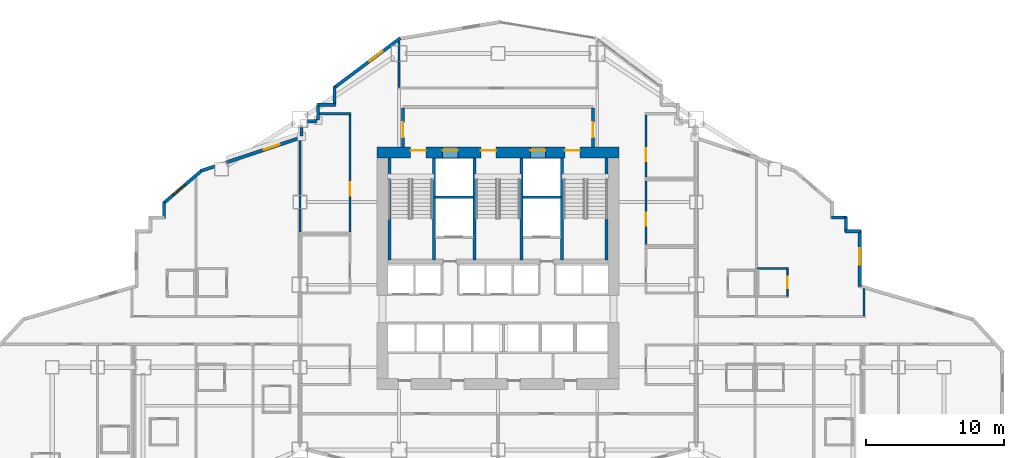
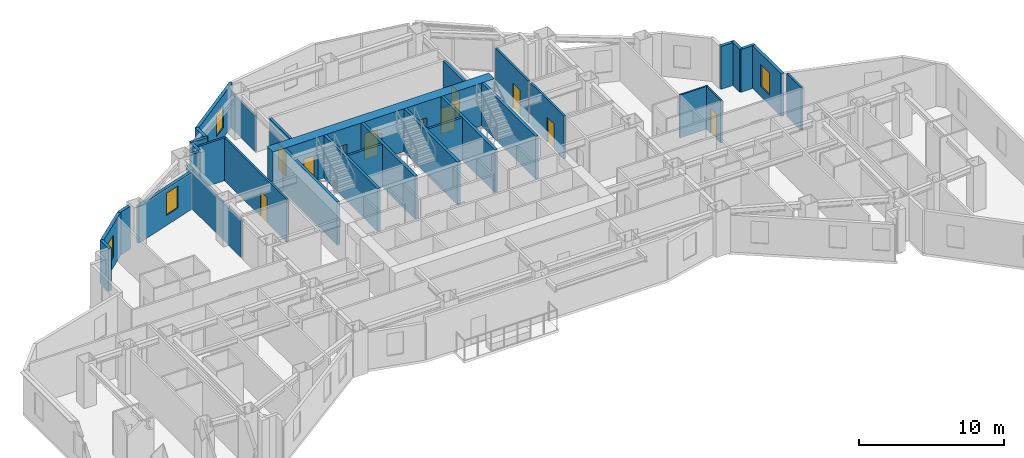
# One storey, part 10 of 17: 34 walls, 11 doors, 4 windows, 15 openings.
"""IFC4 building model written with IfcOpenShell, lengths in metres."""

from ifc_helpers import new_model, si_unit, direction, frame, frame_2d, origin, place, context, subcontext, project, spatial, rectangle, extrude, material, layer, layer_set, type_object, element, fill, save


model = new_model("IFC4")

# Units and contexts
model_context = context("Model", 3, precision=1e-05, world=origin(), true_north=direction((0.0, 1.0)))
body_context = subcontext(model_context, "Body", "Model", "MODEL_VIEW")
ifc_project = project(units=[si_unit("LENGTHUNIT", "METRE"), si_unit("AREAUNIT", "SQUARE_METRE"), si_unit("VOLUMEUNIT", "CUBIC_METRE"), si_unit("PLANEANGLEUNIT", "RADIAN"), si_unit("MASSUNIT", "GRAM", prefix="KILO")], contexts=[model_context])

# Site, building, storey
site_placement = place(None, origin())
site = spatial("IfcSite", under=ifc_project, at=site_placement, CompositionType="ELEMENT")
building_placement = place(site_placement, origin())
building = spatial("IfcBuilding", under=site, at=building_placement, Name="Haolan Belvedere Tower", CompositionType="ELEMENT")
storey_placement = place(building_placement, frame((0.0, 0.0, 55.199951171875)))
storey = spatial("IfcBuildingStorey", under=building, at=storey_placement, Name="L13", CompositionType="ELEMENT", Elevation=55.199951171875)

# Wall, openings, doors
ifc_material_1 = material(Name="Concrete C70/85", Category="concrete")
ifc_layer_1 = layer(ifc_material_1, 0.800048828125, Name="Concrete C70/85")
ifc_layer_set_1 = layer_set([ifc_layer_1], Name="Concrete C70/85")
wall_type_1 = type_object("IfcWallType", Name="WL-CORE-800", PredefinedType="SHEAR", material=ifc_layer_set_1)
wall_1_placement = place(storey_placement, frame((29.60009765625, 43.199951171875, 0.0), z_axis=(0.0, 0.0, 1.0), x_axis=(1.0, 0.0, 0.0)))
wall_1 = element("IfcWall", 1, at=wall_1_placement, inside=storey, type_object=wall_type_1, Name="L13 central core north shear wall", PredefinedType="SHEAR", context=body_context, shape_type="SweptSolid", body=[
    extrude(rectangle(XDim=17.599853515625, YDim=0.800048828125, at=frame_2d((8.7998046875, 0.0))), origin(), (0.0, 0.0, 1.0), 3.60009765625),
])
opening_1_placement = place(wall_1_placement, frame((2.449951171875, 0.0, 0.0)))
opening_1 = element("IfcOpeningElement", 2, at=opening_1_placement, cuts=wall_1, Name="Opening FD-03", PredefinedType="OPENING", context=body_context, shape_type="SweptSolid", body=[
    extrude(rectangle(XDim=1.10009765625, YDim=2.14990234375, at=frame_2d((0.550048828125, 1.074951171875))), frame((0.0, 0.409912109375, 0.0), z_axis=(0.0, -1.0, 0.0), x_axis=(1.0, 0.0, 0.0)), (0.0, 0.0, 1.0), 0.820068359375),
])
opening_2_placement = place(wall_1_placement, frame((7.56005859375, 0.0, 0.0)))
opening_2 = element("IfcOpeningElement", 3, at=opening_2_placement, cuts=wall_1, Name="Opening FD-03", PredefinedType="OPENING", context=body_context, shape_type="SweptSolid", body=[
    extrude(rectangle(XDim=1.10009765625, YDim=2.14990234375, at=frame_2d((0.550048828125, 1.074951171875))), frame((0.0, 0.409912109375, 0.0), z_axis=(0.0, -1.0, 0.0), x_axis=(1.0, 0.0, 0.0)), (0.0, 0.0, 1.0), 0.820068359375),
])
opening_3_placement = place(wall_1_placement, frame((13.64990234375, 0.0, 0.0)))
opening_3 = element("IfcOpeningElement", 4, at=opening_3_placement, cuts=wall_1, Name="Opening FD-03", PredefinedType="OPENING", context=body_context, shape_type="SweptSolid", body=[
    extrude(rectangle(XDim=1.10009765625, YDim=2.14990234375, at=frame_2d((0.550048828125, 1.074951171875))), frame((0.0, 0.409912109375, 0.0), z_axis=(0.0, -1.0, 0.0), x_axis=(1.0, 0.0, 0.0)), (0.0, 0.0, 1.0), 0.820068359375),
])
opening_4_placement = place(wall_1_placement, frame((4.780029296875, 0.0, 0.0)))
opening_4 = element("IfcOpeningElement", 5, at=opening_4_placement, cuts=wall_1, Name="Opening LD-01", PredefinedType="OPENING", context=body_context, shape_type="SweptSolid", body=[
    extrude(rectangle(XDim=1.10009765625, YDim=2.199951171875, at=frame_2d((0.550048828125, 1.10009765625))), frame((0.0, 0.409912109375, 0.0), z_axis=(0.0, -1.0, 0.0), x_axis=(1.0, 0.0, 0.0)), (0.0, 0.0, 1.0), 0.820068359375),
])
opening_5_placement = place(wall_1_placement, frame((11.139892578125, 0.0, 0.0)))
opening_5 = element("IfcOpeningElement", 6, at=opening_5_placement, cuts=wall_1, Name="Opening LD-01", PredefinedType="OPENING", context=body_context, shape_type="SweptSolid", body=[
    extrude(rectangle(XDim=1.10009765625, YDim=2.199951171875, at=frame_2d((0.550048828125, 1.10009765625))), frame((0.0, 0.409912109375, 0.0), z_axis=(0.0, -1.0, 0.0), x_axis=(1.0, 0.0, 0.0)), (0.0, 0.0, 1.0), 0.820068359375),
])
ifc_material_2 = material(Name="Galvanised fire-rated steel", Category="steel")
door_type_1 = type_object("IfcDoorType", Name="DR-FD90-1100", OperationType="NOTDEFINED", PredefinedType="DOOR", material=ifc_material_2)
door_1_placement = place(opening_1_placement, origin())
door_1 = element("IfcDoor", 7, at=door_1_placement, inside=storey, type_object=door_type_1, Name="L13 door CD-L13-ST1", OperationType="SINGLE_SWING_LEFT", OverallHeight=2.14990234375, OverallWidth=1.10009765625, PredefinedType="DOOR", context=body_context, shape_type="SweptSolid", body=[
    extrude(rectangle(XDim=1.10009765625, YDim=2.14990234375, at=frame_2d((0.550048828125, 1.074951171875))), frame((0.0, 0.18505859375, 0.0), z_axis=(0.0, -1.0, 0.0), x_axis=(1.0, 0.0, 0.0)), (0.0, 0.0, 1.0), 0.050048828125),
])
fill(opening_1, door_1)
door_2_placement = place(opening_2_placement, origin())
door_2 = element("IfcDoor", 8, at=door_2_placement, inside=storey, type_object=door_type_1, Name="L13 door CD-L13-ST3", OperationType="SINGLE_SWING_LEFT", OverallHeight=2.14990234375, OverallWidth=1.10009765625, PredefinedType="DOOR", context=body_context, shape_type="SweptSolid", body=[
    extrude(rectangle(XDim=1.10009765625, YDim=2.14990234375, at=frame_2d((0.550048828125, 1.074951171875))), frame((0.0, 0.18505859375, 0.0), z_axis=(0.0, -1.0, 0.0), x_axis=(1.0, 0.0, 0.0)), (0.0, 0.0, 1.0), 0.050048828125),
])
fill(opening_2, door_2)
door_3_placement = place(opening_3_placement, origin())
door_3 = element("IfcDoor", 9, at=door_3_placement, inside=storey, type_object=door_type_1, Name="L13 door CD-L13-ST2", OperationType="SINGLE_SWING_RIGHT", OverallHeight=2.14990234375, OverallWidth=1.10009765625, PredefinedType="DOOR", context=body_context, shape_type="SweptSolid", body=[
    extrude(rectangle(XDim=1.10009765625, YDim=2.14990234375, at=frame_2d((0.550048828125, 1.074951171875))), frame((0.0, 0.18505859375, 0.0), z_axis=(0.0, -1.0, 0.0), x_axis=(1.0, 0.0, 0.0)), (0.0, 0.0, 1.0), 0.050048828125),
])
fill(opening_3, door_3)
ifc_material_3 = material(Name="Brushed champagne stainless steel 316L", Category="steel")
door_type_2 = type_object("IfcDoorType", Name="DR-LIFT-1100", OperationType="SLIDING_TO_LEFT", PredefinedType="DOOR", material=ifc_material_3)
door_4_placement = place(opening_4_placement, origin())
door_4 = element("IfcDoor", 10, at=door_4_placement, inside=storey, type_object=door_type_2, Name="L13 door LD-L13-FF1", OperationType="SLIDING_TO_LEFT", OverallHeight=2.199951171875, OverallWidth=1.10009765625, PredefinedType="DOOR", context=body_context, shape_type="SweptSolid", body=[
    extrude(rectangle(XDim=1.10009765625, YDim=2.199951171875, at=frame_2d((0.550048828125, 1.10009765625))), frame((0.0, 0.18505859375, 0.0), z_axis=(0.0, -1.0, 0.0), x_axis=(1.0, 0.0, 0.0)), (0.0, 0.0, 1.0), 0.050048828125),
])
fill(opening_4, door_4)
door_5_placement = place(opening_5_placement, origin())
door_5 = element("IfcDoor", 11, at=door_5_placement, inside=storey, type_object=door_type_2, Name="L13 door LD-L13-FF2", OperationType="SLIDING_TO_LEFT", OverallHeight=2.199951171875, OverallWidth=1.10009765625, PredefinedType="DOOR", context=body_context, shape_type="SweptSolid", body=[
    extrude(rectangle(XDim=1.10009765625, YDim=2.199951171875, at=frame_2d((0.550048828125, 1.10009765625))), frame((0.0, 0.18505859375, 0.0), z_axis=(0.0, -1.0, 0.0), x_axis=(1.0, 0.0, 0.0)), (0.0, 0.0, 1.0), 0.050048828125),
])
fill(opening_5, door_5)

# Wall, opening, window
ifc_material_4 = material(Name="Precast concrete C40/50", Category="concrete")
ifc_layer_2 = layer(ifc_material_4, 0.239990234375, Name="Precast concrete C40/50")
ifc_layer_set_2 = layer_set([ifc_layer_2], Name="Precast concrete C40/50")
wall_type_2 = type_object("IfcWallType", Name="WL-EXT-240", PredefinedType="SOLIDWALL", material=ifc_layer_set_2)
wall_2_placement = place(storey_placement, frame((64.679931640625, 33.455078125, 0.0), z_axis=(0.0, 0.0, 1.0), x_axis=(0.0, 1.0, 0.0)))
wall_2 = element("IfcWall", 12, at=wall_2_placement, inside=storey, type_object=wall_type_2, Name="L13 pale-metal exterior spandrel wall 29.1", PredefinedType="SOLIDWALL", context=body_context, shape_type="SweptSolid", body=[
    extrude(rectangle(XDim=4.079833984375, YDim=0.239990234375, at=frame_2d((2.0400390625, 0.0))), origin(), (0.0, 0.0, 1.0), 3.60009765625),
])
opening_6_placement = place(wall_2_placement, frame((1.60009765625, 0.0, 0.85009765625)))
opening_6 = element("IfcOpeningElement", 13, at=opening_6_placement, cuts=wall_2, Name="Opening W-01", PredefinedType="OPENING", context=body_context, shape_type="SweptSolid", body=[
    extrude(rectangle(XDim=1.199951171875, YDim=1.85009765625, at=frame_2d((0.60009765625, 0.925048828125))), frame((0.0, 0.1298828125, 0.0), z_axis=(0.0, -1.0, 0.0), x_axis=(1.0, 0.0, 0.0)), (0.0, 0.0, 1.0), 0.260009765625),
])
ifc_material_5 = material(Name="Anodised aluminium 6063-T6 and Low-E glass", Category="aluminium")
window_type = type_object("IfcWindowType", Name="WN-DECO-Z1", PartitioningType="SINGLE_PANEL", PredefinedType="WINDOW", material=ifc_material_5)
window_1_placement = place(opening_6_placement, origin())
window_1 = element("IfcWindow", 14, at=window_1_placement, inside=storey, type_object=window_type, Name="L13 Art Deco chevron window 1", OverallHeight=1.85009765625, OverallWidth=1.199951171875, PartitioningType="SINGLE_PANEL", PredefinedType="WINDOW", context=body_context, shape_type="SweptSolid", body=[
    extrude(rectangle(XDim=1.199951171875, YDim=1.85009765625, at=frame_2d((0.60009765625, 0.925048828125))), frame((0.0, 0.030029296875, 0.0), z_axis=(0.0, -1.0, 0.0), x_axis=(1.0, 0.0, 0.0)), (0.0, 0.0, 1.0), 0.06005859375),
])
fill(opening_6, window_1)

# Walls
wall_3_placement = place(storey_placement, frame((64.735107421875, 37.47998046875, 0.0), z_axis=(0.0, 0.0, 1.0), x_axis=(-1.0, 0.0, 0.0)))
element("IfcWall", 15, at=wall_3_placement, inside=storey, type_object=wall_type_2, Name="L13 pale-metal exterior spandrel wall 30.1", PredefinedType="SOLIDWALL", context=body_context, shape_type="SweptSolid", body=[
    extrude(rectangle(XDim=1.110107421875, YDim=0.239990234375, at=frame_2d((0.55517578125, 0.0))), origin(), (0.0, 0.0, 1.0), 3.60009765625),
])
wall_4_placement = place(storey_placement, frame((63.679931640625, 37.425048828125, 0.0), z_axis=(0.0, 0.0, 1.0), x_axis=(0.0, 1.0, 0.0)))
element("IfcWall", 16, at=wall_4_placement, inside=storey, type_object=wall_type_2, Name="L13 pale-metal exterior spandrel wall 31.1", PredefinedType="SOLIDWALL", context=body_context, shape_type="SweptSolid", body=[
    extrude(rectangle(XDim=1.10986328125, YDim=0.239990234375, at=frame_2d((0.554931640625, 0.0))), origin(), (0.0, 0.0, 1.0), 3.60009765625),
])
wall_5_placement = place(storey_placement, frame((63.735107421875, 38.47998046875, 0.0), z_axis=(0.0, 0.0, 1.0), x_axis=(-1.0, 0.0, 0.0)))
element("IfcWall", 17, at=wall_5_placement, inside=storey, type_object=wall_type_2, Name="L13 pale-metal exterior spandrel wall 32.1", PredefinedType="SOLIDWALL", context=body_context, shape_type="SweptSolid", body=[
    extrude(rectangle(XDim=1.110107421875, YDim=0.239990234375, at=frame_2d((0.55517578125, 0.0))), origin(), (0.0, 0.0, 1.0), 3.60009765625),
])

# Wall, opening, window
wall_6_placement = place(storey_placement, frame((31.29248046875, 51.519287109375, 0.0), z_axis=(0.0, 0.0, 1.0), x_axis=(-0.8, -0.6, 0.0)))
wall_6 = element("IfcWall", 18, at=wall_6_placement, inside=storey, type_object=wall_type_2, Name="L13 pale-metal exterior spandrel wall 44.1", PredefinedType="SOLIDWALL", context=body_context, shape_type="SweptSolid", body=[
    extrude(rectangle(XDim=6.0205078125, YDim=0.239990234375, at=frame_2d((3.01025390625, 0.0))), origin(), (0.0, 0.0, 1.0), 3.60009765625),
])
opening_7_placement = place(wall_6_placement, frame((1.60009765625, 0.0, 0.85009765625)))
opening_7 = element("IfcOpeningElement", 19, at=opening_7_placement, cuts=wall_6, Name="Opening W-01", PredefinedType="OPENING", context=body_context, shape_type="SweptSolid", body=[
    extrude(rectangle(XDim=1.199951171875, YDim=1.85009765625, at=frame_2d((0.60009765625, 0.925048828125))), frame((0.0, 0.1298828125, 0.0), z_axis=(0.0, -1.0, 0.0), x_axis=(1.0, 0.0, 0.0)), (0.0, 0.0, 1.0), 0.260009765625),
])
window_2_placement = place(opening_7_placement, origin())
window_2 = element("IfcWindow", 20, at=window_2_placement, inside=storey, type_object=window_type, Name="L13 Art Deco chevron window 1", OverallHeight=1.85009765625, OverallWidth=1.199951171875, PartitioningType="SINGLE_PANEL", PredefinedType="WINDOW", context=body_context, shape_type="SweptSolid", body=[
    extrude(rectangle(XDim=1.199951171875, YDim=1.85009765625, at=frame_2d((0.60009765625, 0.925048828125))), frame((0.0, 0.030029296875, 0.0), z_axis=(0.0, -1.0, 0.0), x_axis=(1.0, 0.0, 0.0)), (0.0, 0.0, 1.0), 0.06005859375),
])
fill(opening_7, window_2)

# Walls
wall_7_placement = place(storey_placement, frame((26.52001953125, 47.9951171875, 0.0), z_axis=(0.0, 0.0, 1.0), x_axis=(0.0, -1.0, 0.0)))
element("IfcWall", 21, at=wall_7_placement, inside=storey, type_object=wall_type_2, Name="L13 pale-metal exterior spandrel wall 45.1", PredefinedType="SOLIDWALL", context=body_context, shape_type="SweptSolid", body=[
    extrude(rectangle(XDim=1.3701171875, YDim=0.239990234375, at=frame_2d((0.68505859375, 0.0))), origin(), (0.0, 0.0, 1.0), 3.60009765625),
])
wall_8_placement = place(storey_placement, frame((26.574951171875, 46.679931640625, 0.0), z_axis=(0.0, 0.0, 1.0), x_axis=(-1.0, 0.0, 0.0)))
element("IfcWall", 22, at=wall_8_placement, inside=storey, type_object=wall_type_2, Name="L13 pale-metal exterior spandrel wall 46.1", PredefinedType="SOLIDWALL", context=body_context, shape_type="SweptSolid", body=[
    extrude(rectangle(XDim=1.31005859375, YDim=0.239990234375, at=frame_2d((0.655029296875, 0.0))), origin(), (0.0, 0.0, 1.0), 3.60009765625),
])
wall_9_placement = place(storey_placement, frame((25.320068359375, 46.614990234375, 0.0), z_axis=(0.0, 0.0, 1.0), x_axis=(0.0, -1.0, 0.0)))
element("IfcWall", 23, at=wall_9_placement, inside=storey, type_object=wall_type_2, Name="L13 pale-metal exterior spandrel wall 47.1", PredefinedType="SOLIDWALL", context=body_context, shape_type="SweptSolid", body=[
    extrude(rectangle(XDim=1.050048828125, YDim=0.239990234375, at=frame_2d((0.52490234375, 0.0))), origin(), (0.0, 0.0, 1.0), 3.60009765625),
])
wall_10_placement = place(storey_placement, frame((25.235107421875, 45.47998046875, 0.0), z_axis=(0.0, 0.0, 1.0), x_axis=(-1.0, 0.0, 0.0)))
element("IfcWall", 24, at=wall_10_placement, inside=storey, type_object=wall_type_2, Name="L13 pale-metal exterior spandrel wall 48.1", PredefinedType="SOLIDWALL", context=body_context, shape_type="SweptSolid", body=[
    extrude(rectangle(XDim=0.668212890625, YDim=0.239990234375, at=frame_2d((0.333984375, 0.0))), origin(), (0.0, 0.0, 1.0), 3.60009765625),
])
wall_11_placement = place(storey_placement, frame((24.1201171875, 45.032958984375, 0.0), z_axis=(0.0, 0.0, 1.0), x_axis=(0.0, -1.0, 0.0)))
element("IfcWall", 25, at=wall_11_placement, inside=storey, type_object=wall_type_2, Name="L13 pale-metal exterior spandrel wall 49.1", PredefinedType="SOLIDWALL", context=body_context, shape_type="SweptSolid", body=[
    extrude(rectangle(XDim=0.634521484375, YDim=0.239990234375, at=frame_2d((0.3173828125, 0.0))), origin(), (0.0, 0.0, 1.0), 3.09716796875),
])

# Wall, opening, window
wall_12_placement = place(storey_placement, frame((24.039306640625, 44.28662109375, 0.0), z_axis=(0.0, 0.0, 1.0), x_axis=(-0.948678995954, -0.316240672014, 0.0)))
wall_12 = element("IfcWall", 26, at=wall_12_placement, inside=storey, type_object=wall_type_2, Name="L13 pale-metal exterior spandrel wall 50.1", PredefinedType="SOLIDWALL", context=body_context, shape_type="SweptSolid", body=[
    extrude(rectangle(XDim=5.675048828125, YDim=0.239990234375, at=frame_2d((2.83740234375, 0.0))), origin(), (0.0, 0.0, 1.0), 3.09716796875),
])
opening_8_placement = place(wall_12_placement, frame((1.60009765625, 0.0, 0.85009765625)))
opening_8 = element("IfcOpeningElement", 27, at=opening_8_placement, cuts=wall_12, Name="Opening W-01", PredefinedType="OPENING", context=body_context, shape_type="SweptSolid", body=[
    extrude(rectangle(XDim=1.199951171875, YDim=1.85009765625, at=frame_2d((0.60009765625, 0.925048828125))), frame((0.0, 0.1298828125, 0.0), z_axis=(0.0, -1.0, 0.0), x_axis=(1.0, 0.0, 0.0)), (0.0, 0.0, 1.0), 0.260009765625),
])
window_3_placement = place(opening_8_placement, origin())
window_3 = element("IfcWindow", 28, at=window_3_placement, inside=storey, type_object=window_type, Name="L13 Art Deco chevron window 1", OverallHeight=1.85009765625, OverallWidth=1.199951171875, PartitioningType="SINGLE_PANEL", PredefinedType="WINDOW", context=body_context, shape_type="SweptSolid", body=[
    extrude(rectangle(XDim=1.199951171875, YDim=1.85009765625, at=frame_2d((0.60009765625, 0.925048828125))), frame((0.0, 0.030029296875, 0.0), z_axis=(0.0, -1.0, 0.0), x_axis=(1.0, 0.0, 0.0)), (0.0, 0.0, 1.0), 0.06005859375),
])
fill(opening_8, window_3)

# Wall
wall_13_placement = place(storey_placement, frame((17.80810546875, 42.20947265625, 0.0), z_axis=(0.0, 0.0, 1.0), x_axis=(-0.948706457285, -0.316158279832, 0.0)))
element("IfcWall", 29, at=wall_13_placement, inside=storey, type_object=wall_type_2, Name="L13 pale-metal exterior spandrel wall 50.2", PredefinedType="SOLIDWALL", context=body_context, shape_type="SweptSolid", body=[
    extrude(rectangle(XDim=1.053955078125, YDim=0.239990234375, at=frame_2d((0.52685546875, 0.0))), origin(), (0.0, 0.0, 1.0), 3.60009765625),
])

# Wall, opening, window
wall_14_placement = place(storey_placement, frame((16.902099609375, 41.929443359375, 0.0), z_axis=(0.0, 0.0, 1.0), x_axis=(-0.759275136126, -0.650769750112, 0.0)))
wall_14 = element("IfcWall", 30, at=wall_14_placement, inside=storey, type_object=wall_type_2, Name="L13 pale-metal exterior spandrel wall 51.1", PredefinedType="SOLIDWALL", context=body_context, shape_type="SweptSolid", body=[
    extrude(rectangle(XDim=3.71923828125, YDim=0.239990234375, at=frame_2d((1.859619140625, 0.0))), origin(), (0.0, 0.0, 1.0), 3.60009765625),
])
opening_9_placement = place(wall_14_placement, frame((1.60009765625, 0.0, 0.85009765625)))
opening_9 = element("IfcOpeningElement", 31, at=opening_9_placement, cuts=wall_14, Name="Opening W-01", PredefinedType="OPENING", context=body_context, shape_type="SweptSolid", body=[
    extrude(rectangle(XDim=1.199951171875, YDim=1.85009765625, at=frame_2d((0.60009765625, 0.925048828125))), frame((0.0, 0.1298828125, 0.0), z_axis=(0.0, -1.0, 0.0), x_axis=(1.0, 0.0, 0.0)), (0.0, 0.0, 1.0), 0.260009765625),
])
window_4_placement = place(opening_9_placement, origin())
window_4 = element("IfcWindow", 32, at=window_4_placement, inside=storey, type_object=window_type, Name="L13 Art Deco chevron window 1", OverallHeight=1.85009765625, OverallWidth=1.199951171875, PartitioningType="SINGLE_PANEL", PredefinedType="WINDOW", context=body_context, shape_type="SweptSolid", body=[
    extrude(rectangle(XDim=1.199951171875, YDim=1.85009765625, at=frame_2d((0.60009765625, 0.925048828125))), frame((0.0, 0.030029296875, 0.0), z_axis=(0.0, -1.0, 0.0), x_axis=(1.0, 0.0, 0.0)), (0.0, 0.0, 1.0), 0.06005859375),
])
fill(opening_9, window_4)

# Wall
wall_15_placement = place(storey_placement, frame((14.1201171875, 39.599853515625, 0.0), z_axis=(0.0, 0.0, 1.0), x_axis=(0.0, -1.0, 0.0)))
element("IfcWall", 33, at=wall_15_placement, inside=storey, type_object=wall_type_2, Name="L13 pale-metal exterior spandrel wall 52.1", PredefinedType="SOLIDWALL", context=body_context, shape_type="SweptSolid", body=[
    extrude(rectangle(XDim=1.1748046875, YDim=0.239990234375, at=frame_2d((0.58740234375, 0.0))), origin(), (0.0, 0.0, 1.0), 3.60009765625),
])

# Wall, opening, door
ifc_material_6 = material(Name="Concrete C40/50", Category="concrete")
ifc_layer_3 = layer(ifc_material_6, 0.199951171875, Name="Concrete C40/50")
ifc_layer_set_3 = layer_set([ifc_layer_3], Name="Concrete C40/50")
wall_type_3 = type_object("IfcWallType", Name="WL-FIRE-200", PredefinedType="SOLIDWALL", material=ifc_layer_set_3)
wall_16_placement = place(storey_placement, frame((31.5, 43.60009765625, 0.0), z_axis=(0.0, 0.0, 1.0), x_axis=(0.0, 1.0, 0.0)))
wall_16 = element("IfcWall", 34, at=wall_16_placement, inside=storey, type_object=wall_type_3, Name="L13 interior partition IW-L13-FFL-W", PredefinedType="SOLIDWALL", context=body_context, shape_type="SweptSolid", body=[
    extrude(rectangle(XDim=2.8349609375, YDim=0.199951171875, at=frame_2d((1.41748046875, 0.0))), origin(), (0.0, 0.0, 1.0), 3.60009765625),
])
opening_10_placement = place(wall_16_placement, frame((1.800048828125, 0.0, 0.0), z_axis=(0.0, 0.0, 1.0), x_axis=(-1.0, 0.0, 0.0)))
opening_10 = element("IfcOpeningElement", 35, at=opening_10_placement, cuts=wall_16, Name="Opening FD-03", PredefinedType="OPENING", context=body_context, shape_type="SweptSolid", body=[
    extrude(rectangle(XDim=1.10009765625, YDim=2.14990234375, at=frame_2d((0.550048828125, 1.074951171875))), frame((0.0, 0.10986328125, 0.0), z_axis=(0.0, -1.0, 0.0), x_axis=(1.0, 0.0, 0.0)), (0.0, 0.0, 1.0), 0.219970703125),
])
door_6_placement = place(opening_10_placement, origin())
door_6 = element("IfcDoor", 36, at=door_6_placement, inside=storey, type_object=door_type_1, Name="L13 door ID-L13-FFL-DW", OperationType="SINGLE_SWING_LEFT", OverallHeight=2.14990234375, OverallWidth=1.10009765625, PredefinedType="DOOR", context=body_context, shape_type="SweptSolid", body=[
    extrude(rectangle(XDim=1.10009765625, YDim=2.14990234375, at=frame_2d((0.550048828125, 1.074951171875))), frame((0.0, 0.02490234375, 0.0), z_axis=(0.0, -1.0, 0.0), x_axis=(1.0, 0.0, 0.0)), (0.0, 0.0, 1.0), 0.050048828125),
])
fill(opening_10, door_6)

wall_17_placement = place(storey_placement, frame((45.300048828125, 43.60009765625, 0.0), z_axis=(0.0, 0.0, 1.0), x_axis=(0.0, 1.0, 0.0)))
wall_17 = element("IfcWall", 37, at=wall_17_placement, inside=storey, type_object=wall_type_3, Name="L13 interior partition IW-L13-FFL-E", PredefinedType="SOLIDWALL", context=body_context, shape_type="SweptSolid", body=[
    extrude(rectangle(XDim=2.8349609375, YDim=0.199951171875, at=frame_2d((1.41748046875, 0.0))), origin(), (0.0, 0.0, 1.0), 3.60009765625),
])
opening_11_placement = place(wall_17_placement, frame((0.699951171875, 0.0, 0.0)))
opening_11 = element("IfcOpeningElement", 38, at=opening_11_placement, cuts=wall_17, Name="Opening FD-03", PredefinedType="OPENING", context=body_context, shape_type="SweptSolid", body=[
    extrude(rectangle(XDim=1.10009765625, YDim=2.14990234375, at=frame_2d((0.550048828125, 1.074951171875))), frame((0.0, 0.10986328125, 0.0), z_axis=(0.0, -1.0, 0.0), x_axis=(1.0, 0.0, 0.0)), (0.0, 0.0, 1.0), 0.219970703125),
])
door_7_placement = place(opening_11_placement, origin())
door_7 = element("IfcDoor", 39, at=door_7_placement, inside=storey, type_object=door_type_1, Name="L13 door ID-L13-FFL-DE", OperationType="SINGLE_SWING_RIGHT", OverallHeight=2.14990234375, OverallWidth=1.10009765625, PredefinedType="DOOR", context=body_context, shape_type="SweptSolid", body=[
    extrude(rectangle(XDim=1.10009765625, YDim=2.14990234375, at=frame_2d((0.550048828125, 1.074951171875))), frame((0.0, 0.02490234375, 0.0), z_axis=(0.0, -1.0, 0.0), x_axis=(1.0, 0.0, 0.0)), (0.0, 0.0, 1.0), 0.050048828125),
])
fill(opening_11, door_7)

# Walls
ifc_material_7 = material(Name="Double gypsum acoustic stud partition", Category="masonry")
ifc_layer_4 = layer(ifc_material_7, 0.14990234375, Name="Double gypsum acoustic stud partition")
ifc_layer_set_4 = layer_set([ifc_layer_4], Name="Double gypsum acoustic stud partition")
wall_type_4 = type_object("IfcWallType", Name="WL-PART-150", PredefinedType="PARTITIONING", material=ifc_layer_set_4)
wall_18_placement = place(storey_placement, frame((25.425048828125, 46.02001953125, 0.0), z_axis=(0.0, 0.0, 1.0), x_axis=(1.0, 0.0, 0.0)))
element("IfcWall", 40, at=wall_18_placement, inside=storey, type_object=wall_type_4, Name="L13 interior partition IW-L13-MTG-N", PredefinedType="PARTITIONING", context=body_context, shape_type="SweptSolid", body=[
    extrude(rectangle(XDim=2.294921875, YDim=0.14990234375, at=frame_2d((1.1474609375, 0.0))), origin(), (0.0, 0.0, 1.0), 3.60009765625),
])
wall_19_placement = place(storey_placement, frame((24.0, 37.419921875, 0.0), z_axis=(0.0, 0.0, 1.0), x_axis=(0.0, 1.0, 0.0)))
element("IfcWall", 41, at=wall_19_placement, inside=storey, type_object=wall_type_4, Name="L13 interior partition IW-L13-MTG-W", PredefinedType="PARTITIONING", context=body_context, shape_type="SweptSolid", body=[
    extrude(rectangle(XDim=6.742919921875, YDim=0.14990234375, at=frame_2d((3.37158203125, 0.0))), origin(), (0.0, 0.0, 1.0), 3.09716796875),
])

# Wall, opening, door
wall_20_placement = place(storey_placement, frame((27.639892578125, 37.419921875, 0.0), z_axis=(0.0, 0.0, 1.0), x_axis=(0.0, 1.0, 0.0)))
wall_20 = element("IfcWall", 42, at=wall_20_placement, inside=storey, type_object=wall_type_4, Name="L13 interior partition IW-L13-MTG-E", PredefinedType="PARTITIONING", context=body_context, shape_type="SweptSolid", body=[
    extrude(rectangle(XDim=8.5400390625, YDim=0.14990234375, at=frame_2d((4.27001953125, 0.0))), origin(), (0.0, 0.0, 1.0), 3.60009765625),
])
opening_12_placement = place(wall_20_placement, frame((3.60986328125, 0.0, 0.0), z_axis=(0.0, 0.0, 1.0), x_axis=(-1.0, 0.0, 0.0)))
opening_12 = element("IfcOpeningElement", 43, at=opening_12_placement, cuts=wall_20, Name="Opening ID-03", PredefinedType="OPENING", context=body_context, shape_type="SweptSolid", body=[
    extrude(rectangle(XDim=0.949951171875, YDim=2.1201171875, at=frame_2d((0.47509765625, 1.06005859375))), frame((0.0, 0.0849609375, 0.0), z_axis=(0.0, -1.0, 0.0), x_axis=(1.0, 0.0, 0.0)), (0.0, 0.0, 1.0), 0.169921875),
])
ifc_material_8 = material(Name="Painted solid-core timber", Category="wood")
door_type_3 = type_object("IfcDoorType", Name="DR-INT-950", OperationType="NOTDEFINED", PredefinedType="DOOR", material=ifc_material_8)
door_8_placement = place(opening_12_placement, origin())
door_8 = element("IfcDoor", 44, at=door_8_placement, inside=storey, type_object=door_type_3, Name="L13 door ID-L13-MTG", OperationType="SINGLE_SWING_RIGHT", OverallHeight=2.1201171875, OverallWidth=0.949951171875, PredefinedType="DOOR", context=body_context, shape_type="SweptSolid", body=[
    extrude(rectangle(XDim=0.949951171875, YDim=2.1201171875, at=frame_2d((0.47509765625, 1.06005859375))), frame((0.0, 0.02490234375, 0.0), z_axis=(0.0, -1.0, 0.0), x_axis=(1.0, 0.0, 0.0)), (0.0, 0.0, 1.0), 0.050048828125),
])
fill(opening_12, door_8)

wall_21_placement = place(storey_placement, frame((49.159912109375, 36.52001953125, 0.0), z_axis=(0.0, 0.0, 1.0), x_axis=(0.0, 1.0, 0.0)))
wall_21 = element("IfcWall", 45, at=wall_21_placement, inside=storey, type_object=wall_type_4, Name="L13 interior partition IW-L13-STY-W", PredefinedType="PARTITIONING", context=body_context, shape_type="SweptSolid", body=[
    extrude(rectangle(XDim=4.619873046875, YDim=0.14990234375, at=frame_2d((2.31005859375, 0.0))), origin(), (0.0, 0.0, 1.0), 3.60009765625),
])
opening_13_placement = place(wall_21_placement, frame((1.360107421875, 0.0, 0.0)))
opening_13 = element("IfcOpeningElement", 46, at=opening_13_placement, cuts=wall_21, Name="Opening ID-03", PredefinedType="OPENING", context=body_context, shape_type="SweptSolid", body=[
    extrude(rectangle(XDim=0.949951171875, YDim=2.1201171875, at=frame_2d((0.47509765625, 1.06005859375))), frame((0.0, 0.0849609375, 0.0), z_axis=(0.0, -1.0, 0.0), x_axis=(1.0, 0.0, 0.0)), (0.0, 0.0, 1.0), 0.169921875),
])
door_9_placement = place(opening_13_placement, origin())
door_9 = element("IfcDoor", 47, at=door_9_placement, inside=storey, type_object=door_type_3, Name="L13 door ID-L13-STY", OperationType="SINGLE_SWING_RIGHT", OverallHeight=2.1201171875, OverallWidth=0.949951171875, PredefinedType="DOOR", context=body_context, shape_type="SweptSolid", body=[
    extrude(rectangle(XDim=0.949951171875, YDim=2.1201171875, at=frame_2d((0.47509765625, 1.06005859375))), frame((0.0, 0.02490234375, 0.0), z_axis=(0.0, -1.0, 0.0), x_axis=(1.0, 0.0, 0.0)), (0.0, 0.0, 1.0), 0.050048828125),
])
fill(opening_13, door_9)

wall_22_placement = place(storey_placement, frame((49.159912109375, 41.419921875, 0.0), z_axis=(0.0, 0.0, 1.0), x_axis=(0.0, 1.0, 0.0)))
wall_22 = element("IfcWall", 48, at=wall_22_placement, inside=storey, type_object=wall_type_4, Name="L13 interior partition IW-L13-PNT-W", PredefinedType="PARTITIONING", context=body_context, shape_type="SweptSolid", body=[
    extrude(rectangle(XDim=4.5400390625, YDim=0.14990234375, at=frame_2d((2.27001953125, 0.0))), origin(), (0.0, 0.0, 1.0), 3.60009765625),
])
opening_14_placement = place(wall_22_placement, frame((1.159912109375, 0.0, 0.0)))
opening_14 = element("IfcOpeningElement", 49, at=opening_14_placement, cuts=wall_22, Name="Opening ID-03", PredefinedType="OPENING", context=body_context, shape_type="SweptSolid", body=[
    extrude(rectangle(XDim=0.949951171875, YDim=2.1201171875, at=frame_2d((0.47509765625, 1.06005859375))), frame((0.0, 0.0849609375, 0.0), z_axis=(0.0, -1.0, 0.0), x_axis=(1.0, 0.0, 0.0)), (0.0, 0.0, 1.0), 0.169921875),
])
door_10_placement = place(opening_14_placement, origin())
door_10 = element("IfcDoor", 50, at=door_10_placement, inside=storey, type_object=door_type_3, Name="L13 door ID-L13-PNT", OperationType="SINGLE_SWING_LEFT", OverallHeight=2.1201171875, OverallWidth=0.949951171875, PredefinedType="DOOR", context=body_context, shape_type="SweptSolid", body=[
    extrude(rectangle(XDim=0.949951171875, YDim=2.1201171875, at=frame_2d((0.47509765625, 1.06005859375))), frame((0.0, 0.02490234375, 0.0), z_axis=(0.0, -1.0, 0.0), x_axis=(1.0, 0.0, 0.0)), (0.0, 0.0, 1.0), 0.050048828125),
])
fill(opening_14, door_10)

# Walls
wall_23_placement = place(storey_placement, frame((31.199951171875, 47.93994140625, 0.0), z_axis=(0.0, 0.0, 1.0), x_axis=(0.0, 1.0, 0.0)))
element("IfcWall", 51, at=wall_23_placement, inside=storey, type_object=wall_type_4, Name="L13 interior partition IW-L13-KN2-W", PredefinedType="PARTITIONING", context=body_context, shape_type="SweptSolid", body=[
    extrude(rectangle(XDim=3.378662109375, YDim=0.14990234375, at=frame_2d((1.689453125, 0.0))), origin(), (0.0, 0.0, 1.0), 2.985107421875),
])
wall_24_placement = place(storey_placement, frame((65.0, 31.340087890625, 0.0), z_axis=(0.0, 0.0, 1.0), x_axis=(0.0, 1.0, 0.0)))
element("IfcWall", 52, at=wall_24_placement, inside=storey, type_object=wall_type_4, Name="L13 interior partition IW-L13-T4N2-E", PredefinedType="PARTITIONING", context=body_context, shape_type="SweptSolid", body=[
    extrude(rectangle(XDim=1.966552734375, YDim=0.14990234375, at=frame_2d((0.9833984375, 0.0))), origin(), (0.0, 0.0, 1.0), 3.60009765625),
])
ifc_layer_5 = layer(ifc_material_4, 0.179931640625, Name="Precast concrete C40/50")
ifc_layer_set_5 = layer_set([ifc_layer_5], Name="Precast concrete C40/50")
wall_type_5 = type_object("IfcWallType", Name="WL-SHAFT-180", PredefinedType="SOLIDWALL", material=ifc_layer_set_5)
for number, where, z_axis, x_axis, name in (
    (53, (33.8349609375, 39.949951171875, 0.0), (0.0, 0.0, 1.0), (1.0, 0.0, 0.0), "L13 interior partition IW-L13-FF1-S"),
    (54, (40.195068359375, 39.949951171875, 0.0), (0.0, 0.0, 1.0), (1.0, 0.0, 0.0), "L13 interior partition IW-L13-FF2-S"),
):
    element("IfcWall", number, at=place(storey_placement, frame(where, z_axis=z_axis, x_axis=x_axis)), inside=storey, type_object=wall_type_5, Name=name, PredefinedType="SOLIDWALL", context=body_context, shape_type="SweptSolid", body=[
        extrude(rectangle(XDim=2.77001953125, YDim=0.179931640625, at=frame_2d((1.385009765625, 0.0))), origin(), (0.0, 0.0, 1.0), 3.60009765625),
    ])
ifc_material_9 = material(Name="Concrete C50/60", Category="concrete")
ifc_layer_6 = layer(ifc_material_9, 0.219970703125, Name="Concrete C50/60")
ifc_layer_set_6 = layer_set([ifc_layer_6], Name="Concrete C50/60")
wall_type_6 = type_object("IfcWallType", Name="WL-STAIR-220", PredefinedType="SHEAR", material=ifc_layer_set_6)
for number, where, z_axis, x_axis, name in (
    (55, (30.511962890625, 35.389892578125, 0.0), (0.0, 0.0, 1.0), (0.0, 1.0, 0.0), "L13 structural stair core wall ST1W"),
    (56, (33.739990234375, 35.389892578125, 0.0), (0.0, 0.0, 1.0), (0.0, 1.0, 0.0), "L13 structural stair core wall ST1E"),
    (57, (36.699951171875, 35.389892578125, 0.0), (0.0, 0.0, 1.0), (0.0, 1.0, 0.0), "L13 structural stair core wall ST3W"),
    (58, (40.10009765625, 35.389892578125, 0.0), (0.0, 0.0, 1.0), (0.0, 1.0, 0.0), "L13 structural stair core wall ST3E"),
    (59, (43.06005859375, 35.389892578125, 0.0), (0.0, 0.0, 1.0), (0.0, 1.0, 0.0), "L13 structural stair core wall ST2W"),
    (60, (46.2880859375, 35.389892578125, 0.0), (0.0, 0.0, 1.0), (0.0, 1.0, 0.0), "L13 structural stair core wall ST2E"),
):
    element("IfcWall", number, at=place(storey_placement, frame(where, z_axis=z_axis, x_axis=x_axis)), inside=storey, type_object=wall_type_6, Name=name, PredefinedType="SHEAR", context=body_context, shape_type="SweptSolid", body=[
        extrude(rectangle(XDim=7.41015625, YDim=0.219970703125, at=frame_2d((3.705078125, 0.0))), origin(), (0.0, 0.0, 1.0), 3.60009765625),
    ])
ifc_material_10 = material(Name="Moisture-resistant gypsum tile partition", Category="masonry")
ifc_layer_7 = layer(ifc_material_10, 0.1201171875, Name="Moisture-resistant gypsum tile partition")
ifc_layer_set_7 = layer_set([ifc_layer_7], Name="Moisture-resistant gypsum tile partition")
wall_type_7 = type_object("IfcWallType", Name="WL-WET-120", PredefinedType="PARTITIONING", material=ifc_layer_set_7)
wall_25_placement = place(storey_placement, frame((57.25, 34.780029296875, 0.0), z_axis=(0.0, 0.0, 1.0), x_axis=(1.0, 0.0, 0.0)))
element("IfcWall", 61, at=wall_25_placement, inside=storey, type_object=wall_type_7, Name="L13 interior partition IW-L13-T4N2-BN", PredefinedType="PARTITIONING", context=body_context, shape_type="SweptSolid", body=[
    extrude(rectangle(XDim=2.25, YDim=0.1201171875, at=frame_2d((1.125, 0.0))), origin(), (0.0, 0.0, 1.0), 3.60009765625),
])

# Wall, opening, door
wall_26_placement = place(storey_placement, frame((59.43994140625, 32.77490234375, 0.0), z_axis=(0.0, 0.0, 1.0), x_axis=(0.0, 1.0, 0.0)))
wall_26 = element("IfcWall", 62, at=wall_26_placement, inside=storey, type_object=wall_type_7, Name="L13 interior partition IW-L13-T4N2-BE", PredefinedType="PARTITIONING", context=body_context, shape_type="SweptSolid", body=[
    extrude(rectangle(XDim=1.960205078125, YDim=0.1201171875, at=frame_2d((0.97998046875, 0.0))), origin(), (0.0, 0.0, 1.0), 3.60009765625),
])
opening_15_placement = place(wall_26_placement, frame((0.554931640625, 0.0, 0.0)))
opening_15 = element("IfcOpeningElement", 63, at=opening_15_placement, cuts=wall_26, Name="Opening ID-05", PredefinedType="OPENING", context=body_context, shape_type="SweptSolid", body=[
    extrude(rectangle(XDim=0.85009765625, YDim=2.10009765625, at=frame_2d((0.425048828125, 1.050048828125))), frame((0.0, 0.070068359375, 0.0), z_axis=(0.0, -1.0, 0.0), x_axis=(1.0, 0.0, 0.0)), (0.0, 0.0, 1.0), 0.14013671875),
])
ifc_material_11 = material(Name="Moisture-resistant lacquered timber", Category="wood")
door_type_4 = type_object("IfcDoorType", Name="DR-BATH-850", OperationType="NOTDEFINED", PredefinedType="DOOR", material=ifc_material_11)
door_11_placement = place(opening_15_placement, origin())
door_11 = element("IfcDoor", 64, at=door_11_placement, inside=storey, type_object=door_type_4, Name="L13 door ID-L13-T4N2-BATH", OperationType="SINGLE_SWING_RIGHT", OverallHeight=2.10009765625, OverallWidth=0.85009765625, PredefinedType="DOOR", context=body_context, shape_type="SweptSolid", body=[
    extrude(rectangle(XDim=0.85009765625, YDim=2.10009765625, at=frame_2d((0.425048828125, 1.050048828125))), frame((0.0, 0.02490234375, 0.0), z_axis=(0.0, -1.0, 0.0), x_axis=(1.0, 0.0, 0.0)), (0.0, 0.0, 1.0), 0.050048828125),
])
fill(opening_15, door_11)

save(model, "model.ifc")
